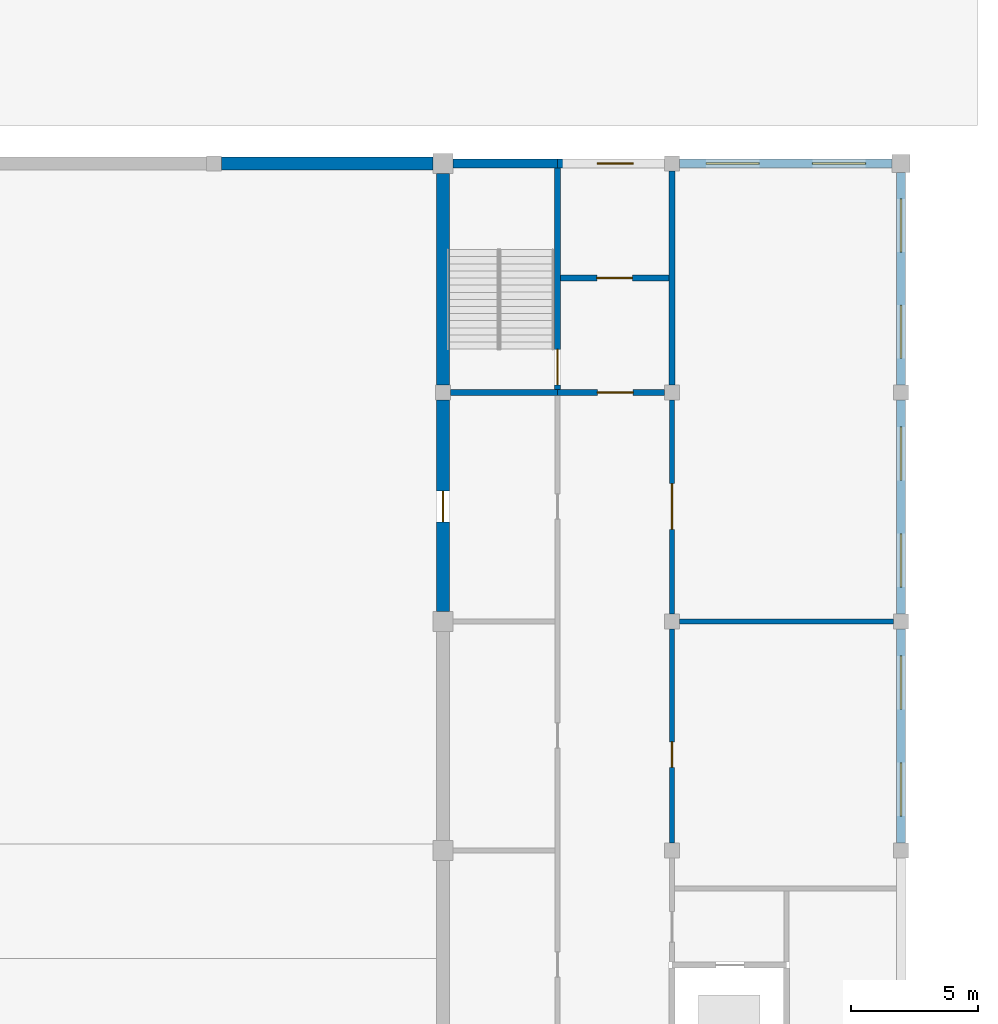
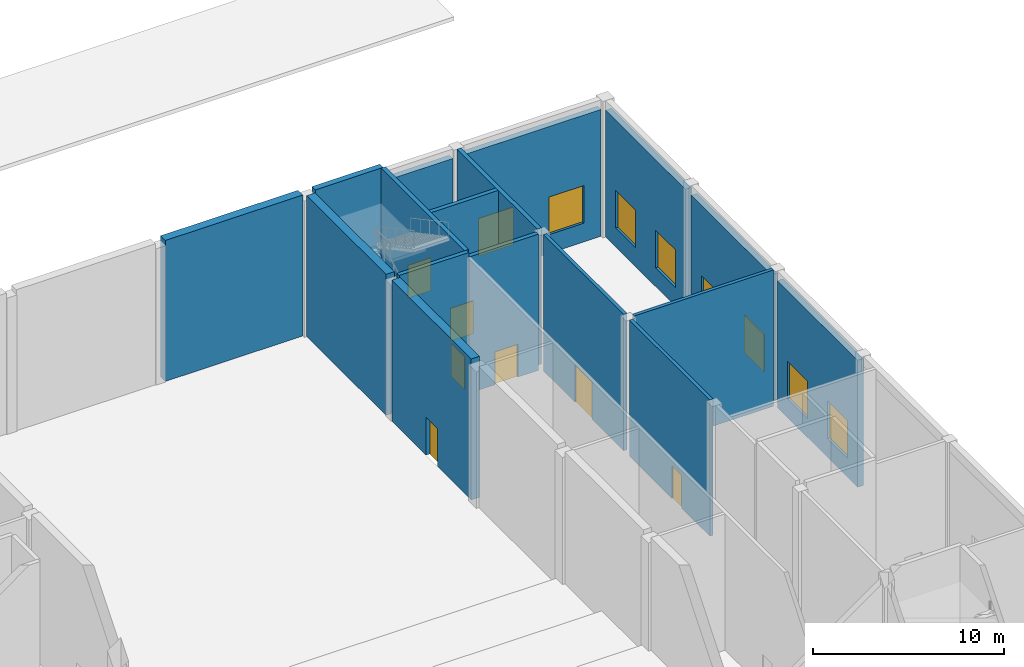
# One storey, part 34 of 44: 17 walls, 8 windows, 7 doors, 15 openings.
"""IFC4 building model written with IfcOpenShell, lengths in metres."""

from ifc_helpers import new_model, si_unit, direction, frame, frame_2d, origin, place, context, subcontext, project, spatial, rectangle, extrude, material, layer, layer_set, type_object, element, fill, save


model = new_model("IFC4")

# Units and contexts
model_context = context("Model", 3, precision=1e-05, world=origin(), true_north=direction((0.0, 1.0)))
body_context = subcontext(model_context, "Body", "Model", "MODEL_VIEW")
ifc_project = project(units=[si_unit("LENGTHUNIT", "METRE"), si_unit("AREAUNIT", "SQUARE_METRE"), si_unit("VOLUMEUNIT", "CUBIC_METRE"), si_unit("PLANEANGLEUNIT", "RADIAN"), si_unit("MASSUNIT", "GRAM", prefix="KILO")], contexts=[model_context])

# Site, building, storey
site_placement = place(None, origin())
site = spatial("IfcSite", under=ifc_project, at=site_placement, CompositionType="ELEMENT")
building_placement = place(site_placement, origin())
building = spatial("IfcBuilding", under=site, at=building_placement, Name="Firuza Court", CompositionType="ELEMENT")
storey_placement = place(building_placement, origin())
storey = spatial("IfcBuildingStorey", under=building, at=storey_placement, Name="L00", CompositionType="ELEMENT", Elevation=0.0)

# Wall
ifc_material_1 = material(Name="Blockwork", Category="masonry")
ifc_layer_1 = layer(ifc_material_1, 0.199951171875)
ifc_layer_set_1 = layer_set([ifc_layer_1], Name="Blockwork")
wall_type_1 = type_object("IfcWallType", Name="HALL PARTITION 200", PredefinedType="STANDARD", material=ifc_layer_set_1)
wall_1_placement = place(storey_placement, frame((144.300048828125, 27.0, 0.0), z_axis=(0.0, 0.0, 1.0), x_axis=(1.0, 0.0, 0.0)))
element("IfcWall", 1, at=wall_1_placement, inside=storey, type_object=wall_type_1, Name="Wall L00.36", PredefinedType="STANDARD", context=body_context, shape_type="SweptSolid", body=[
    extrude(rectangle(XDim=8.39990234375, YDim=0.199951171875, at=frame_2d((4.199951171875, 0.0))), origin(), (0.0, 0.0, 1.0), 8.699951171875),
])

# Wall, opening, door
wall_2_placement = place(storey_placement, frame((144.0, 18.300048828125, 0.0), z_axis=(0.0, 0.0, 1.0), x_axis=(0.0, 1.0, 0.0)))
wall_2 = element("IfcWall", 2, at=wall_2_placement, inside=storey, type_object=wall_type_1, Name="Wall L00.81", PredefinedType="STANDARD", context=body_context, shape_type="SweptSolid", body=[
    extrude(rectangle(XDim=8.39990234375, YDim=0.199951171875, at=frame_2d((4.199951171875, 0.0))), origin(), (0.0, 0.0, 1.0), 8.699951171875),
])
opening_1_placement = place(wall_2_placement, frame((2.969970703125, 0.0, 0.0)))
opening_1 = element("IfcOpeningElement", 3, at=opening_1_placement, cuts=wall_2, Name="Opening H054", PredefinedType="OPENING", context=body_context, shape_type="SweptSolid", body=[
    extrude(rectangle(XDim=1.0, YDim=2.10009765625, at=frame_2d((0.5, 1.050048828125))), frame((0.0, 0.11181640625, 0.0), z_axis=(0.0, -1.0, 0.0), x_axis=(1.0, 0.0, 0.0)), (0.0, 0.0, 1.0), 0.223876953125),
])
ifc_material_2 = material(Name="Timber", Category="wood")
door_type_1 = type_object("IfcDoorType", Name="HALL DOOR 1000X2100", OperationType="SINGLE_SWING_LEFT", PredefinedType="DOOR", material=ifc_material_2)
door_1_placement = place(opening_1_placement, frame((1.0, 0.0, 0.0), z_axis=(0.0, 0.0, 1.0), x_axis=(-1.0, 0.0, 0.0)))
door_1 = element("IfcDoor", 4, at=door_1_placement, inside=storey, type_object=door_type_1, Name="Door Green room", OperationType="SINGLE_SWING_RIGHT", OverallHeight=2.10009765625, OverallWidth=1.0, PredefinedType="DOOR", context=body_context, shape_type="SweptSolid", body=[
    extrude(rectangle(XDim=1.0, YDim=2.10009765625, at=frame_2d((0.5, 1.050048828125))), frame((0.0, 0.02490234375, 0.0), z_axis=(0.0, -1.0, 0.0), x_axis=(1.0, 0.0, 0.0)), (0.0, 0.0, 1.0), 0.050048828125),
])
fill(opening_1, door_1)

wall_3_placement = place(storey_placement, frame((144.0, 27.300048828125, 0.0), z_axis=(0.0, 0.0, 1.0), x_axis=(0.0, 1.0, 0.0)))
wall_3 = element("IfcWall", 5, at=wall_3_placement, inside=storey, type_object=wall_type_1, Name="Wall L00.82", PredefinedType="STANDARD", context=body_context, shape_type="SweptSolid", body=[
    extrude(rectangle(XDim=8.39990234375, YDim=0.199951171875, at=frame_2d((4.199951171875, 0.0))), origin(), (0.0, 0.0, 1.0), 8.699951171875),
])
opening_2_placement = place(wall_3_placement, frame((3.320068359375, 0.0, 0.0)))
opening_2 = element("IfcOpeningElement", 6, at=opening_2_placement, cuts=wall_3, Name="Opening H055", PredefinedType="OPENING", context=body_context, shape_type="SweptSolid", body=[
    extrude(rectangle(XDim=1.800048828125, YDim=2.39990234375, at=frame_2d((0.89990234375, 1.199951171875))), frame((0.0, 0.11181640625, 0.0), z_axis=(0.0, -1.0, 0.0), x_axis=(1.0, 0.0, 0.0)), (0.0, 0.0, 1.0), 0.223876953125),
])
ifc_material_3 = material(Name="Timber", Category="wood")
door_type_2 = type_object("IfcDoorType", Name="HALL DOOR 1800X2400", OperationType="DOUBLE_DOOR_SINGLE_SWING", PredefinedType="DOOR", material=ifc_material_3)
door_2_placement = place(opening_2_placement, origin())
door_2 = element("IfcDoor", 7, at=door_2_placement, inside=storey, type_object=door_type_2, Name="Door Orchestra rehearsal hall", OperationType="DOUBLE_DOOR_SINGLE_SWING", OverallHeight=2.39990234375, OverallWidth=1.800048828125, PredefinedType="DOOR", context=body_context, shape_type="SweptSolid", body=[
    extrude(rectangle(XDim=1.800048828125, YDim=2.39990234375, at=frame_2d((0.89990234375, 1.199951171875))), frame((0.0, 0.02490234375, 0.0), z_axis=(0.0, -1.0, 0.0), x_axis=(1.0, 0.0, 0.0)), (0.0, 0.0, 1.0), 0.050048828125),
])
fill(opening_2, door_2)

# Wall
ifc_material_4 = material(Name="Concrete C40/50", Category="concrete")
ifc_layer_2 = layer(ifc_material_4, 0.25)
ifc_layer_set_2 = layer_set([ifc_layer_2], Name="Concrete C40/50")
wall_type_2 = type_object("IfcWallType", Name="HALL RC WALL 250", PredefinedType="STANDARD", material=ifc_layer_set_2)
wall_4_placement = place(storey_placement, frame((135.300048828125, 36.0, 0.0), z_axis=(0.0, 0.0, 1.0), x_axis=(1.0, 0.0, 0.0)))
element("IfcWall", 8, at=wall_4_placement, inside=storey, type_object=wall_type_2, Name="Wall L00.37", PredefinedType="STANDARD", context=body_context, shape_type="SweptSolid", body=[
    extrude(rectangle(XDim=4.199951171875, YDim=0.25, at=frame_2d((2.10009765625, 0.0))), origin(), (0.0, 0.0, 1.0), 9.0),
])

# Wall, opening, door
wall_5_placement = place(storey_placement, frame((139.5, 36.0, 0.0), z_axis=(0.0, 0.0, 1.0), x_axis=(1.0, 0.0, 0.0)))
wall_5 = element("IfcWall", 9, at=wall_5_placement, inside=storey, type_object=wall_type_2, Name="Wall L00.38", PredefinedType="STANDARD", context=body_context, shape_type="SweptSolid", body=[
    extrude(rectangle(XDim=4.199951171875, YDim=0.25, at=frame_2d((2.10009765625, 0.0))), origin(), (0.0, 0.0, 1.0), 8.699951171875),
])
opening_3_placement = place(wall_5_placement, frame((1.570068359375, 0.0, 0.0)))
opening_3 = element("IfcOpeningElement", 10, at=opening_3_placement, cuts=wall_5, Name="Opening H023", PredefinedType="OPENING", context=body_context, shape_type="SweptSolid", body=[
    extrude(rectangle(XDim=1.39990234375, YDim=2.10009765625, at=frame_2d((0.699951171875, 1.050048828125))), frame((0.0, 0.136962890625, 0.0), z_axis=(0.0, -1.0, 0.0), x_axis=(1.0, 0.0, 0.0)), (0.0, 0.0, 1.0), 0.27392578125),
])
ifc_material_5 = material(Name="Timber", Category="wood")
door_type_3 = type_object("IfcDoorType", Name="HALL DOOR 1400X2100", OperationType="DOUBLE_DOOR_SINGLE_SWING", PredefinedType="DOOR", material=ifc_material_5)
door_3_placement = place(opening_3_placement, origin())
door_3 = element("IfcDoor", 11, at=door_3_placement, inside=storey, type_object=door_type_3, Name="Exit door stair H4 lobby", OperationType="DOUBLE_DOOR_SINGLE_SWING", OverallHeight=2.10009765625, OverallWidth=1.39990234375, PredefinedType="DOOR", context=body_context, shape_type="SweptSolid", body=[
    extrude(rectangle(XDim=1.39990234375, YDim=2.10009765625, at=frame_2d((0.699951171875, 1.050048828125))), frame((0.0, 0.02490234375, 0.0), z_axis=(0.0, -1.0, 0.0), x_axis=(1.0, 0.0, 0.0)), (0.0, 0.0, 1.0), 0.050048828125),
])
fill(opening_3, door_3)

wall_6_placement = place(storey_placement, frame((139.625, 40.5, 0.0), z_axis=(0.0, 0.0, 1.0), x_axis=(1.0, 0.0, 0.0)))
wall_6 = element("IfcWall", 12, at=wall_6_placement, inside=storey, type_object=wall_type_2, Name="Wall L00.39", PredefinedType="STANDARD", context=body_context, shape_type="SweptSolid", body=[
    extrude(rectangle(XDim=4.25, YDim=0.25, at=frame_2d((2.125, 0.0))), origin(), (0.0, 0.0, 1.0), 8.699951171875),
])
opening_4_placement = place(wall_6_placement, frame((1.419921875, 0.0, 0.0)))
opening_4 = element("IfcOpeningElement", 13, at=opening_4_placement, cuts=wall_6, Name="Opening H024", PredefinedType="OPENING", context=body_context, shape_type="SweptSolid", body=[
    extrude(rectangle(XDim=1.39990234375, YDim=2.10009765625, at=frame_2d((0.699951171875, 1.050048828125))), frame((0.0, 0.136962890625, 0.0), z_axis=(0.0, -1.0, 0.0), x_axis=(1.0, 0.0, 0.0)), (0.0, 0.0, 1.0), 0.27392578125),
])
door_4_placement = place(opening_4_placement, origin())
door_4 = element("IfcDoor", 14, at=door_4_placement, inside=storey, type_object=door_type_3, Name="Exit door stair H4 passage", OperationType="DOUBLE_DOOR_SINGLE_SWING", OverallHeight=2.10009765625, OverallWidth=1.39990234375, PredefinedType="DOOR", context=body_context, shape_type="SweptSolid", body=[
    extrude(rectangle(XDim=1.39990234375, YDim=2.10009765625, at=frame_2d((0.699951171875, 1.050048828125))), frame((0.0, 0.02490234375, 0.0), z_axis=(0.0, -1.0, 0.0), x_axis=(1.0, 0.0, 0.0)), (0.0, 0.0, 1.0), 0.050048828125),
])
fill(opening_4, door_4)

wall_7_placement = place(storey_placement, frame((139.5, 36.125, 0.0), z_axis=(0.0, 0.0, 1.0), x_axis=(0.0, 1.0, 0.0)))
wall_7 = element("IfcWall", 15, at=wall_7_placement, inside=storey, type_object=wall_type_2, Name="Wall L00.76", PredefinedType="STANDARD", context=body_context, shape_type="SweptSolid", body=[
    extrude(rectangle(XDim=8.699951171875, YDim=0.25, at=frame_2d((4.35009765625, 0.0))), origin(), (0.0, 0.0, 1.0), 9.0),
])
opening_5_placement = place(wall_7_placement, frame((0.169921875, 0.0, 0.0)))
opening_5 = element("IfcOpeningElement", 16, at=opening_5_placement, cuts=wall_7, Name="Opening H022", PredefinedType="OPENING", context=body_context, shape_type="SweptSolid", body=[
    extrude(rectangle(XDim=1.39990234375, YDim=2.10009765625, at=frame_2d((0.699951171875, 1.050048828125))), frame((0.0, 0.136962890625, 0.0), z_axis=(0.0, -1.0, 0.0), x_axis=(1.0, 0.0, 0.0)), (0.0, 0.0, 1.0), 0.27392578125),
])
door_5_placement = place(opening_5_placement, origin())
door_5 = element("IfcDoor", 17, at=door_5_placement, inside=storey, type_object=door_type_3, Name="Stair H4 door", OperationType="DOUBLE_DOOR_SINGLE_SWING", OverallHeight=2.10009765625, OverallWidth=1.39990234375, PredefinedType="DOOR", context=body_context, shape_type="SweptSolid", body=[
    extrude(rectangle(XDim=1.39990234375, YDim=2.10009765625, at=frame_2d((0.699951171875, 1.050048828125))), frame((0.0, 0.02490234375, 0.0), z_axis=(0.0, -1.0, 0.0), x_axis=(1.0, 0.0, 0.0)), (0.0, 0.0, 1.0), 0.050048828125),
])
fill(opening_5, door_5)

# Wall
wall_8_placement = place(storey_placement, frame((144.0, 36.300048828125, 0.0), z_axis=(0.0, 0.0, 1.0), x_axis=(0.0, 1.0, 0.0)))
element("IfcWall", 18, at=wall_8_placement, inside=storey, type_object=wall_type_2, Name="Wall L00.83", PredefinedType="STANDARD", context=body_context, shape_type="SweptSolid", body=[
    extrude(rectangle(XDim=8.39990234375, YDim=0.25, at=frame_2d((4.199951171875, 0.0))), origin(), (0.0, 0.0, 1.0), 8.699951171875),
])

# Wall, opening, door
ifc_layer_3 = layer(ifc_material_4, 0.5)
ifc_layer_set_3 = layer_set([ifc_layer_3], Name="Concrete C40/50")
wall_type_3 = type_object("IfcWallType", Name="HALL RC WALL 500", PredefinedType="STANDARD", material=ifc_layer_set_3)
wall_9_placement = place(storey_placement, frame((135.0, 27.39990234375, 0.0), z_axis=(0.0, 0.0, 1.0), x_axis=(0.0, 1.0, 0.0)))
wall_9 = element("IfcWall", 19, at=wall_9_placement, inside=storey, type_object=wall_type_3, Name="Wall L00.72", PredefinedType="STANDARD", context=body_context, shape_type="SweptSolid", body=[
    extrude(rectangle(XDim=8.300048828125, YDim=0.5, at=frame_2d((4.14990234375, 0.0))), origin(), (0.0, 0.0, 1.0), 9.0),
])
opening_6_placement = place(wall_9_placement, frame((3.52001953125, 0.0, 0.0)))
opening_6 = element("IfcOpeningElement", 20, at=opening_6_placement, cuts=wall_9, Name="Opening H020", PredefinedType="OPENING", context=body_context, shape_type="SweptSolid", body=[
    extrude(rectangle(XDim=1.199951171875, YDim=2.39990234375, at=frame_2d((0.60009765625, 1.199951171875))), frame((0.0, 0.261962890625, 0.0), z_axis=(0.0, -1.0, 0.0), x_axis=(1.0, 0.0, 0.0)), (0.0, 0.0, 1.0), 0.52392578125),
])
ifc_material_6 = material(Name="Timber", Category="wood")
door_type_4 = type_object("IfcDoorType", Name="HALL DOOR 1200X2400", OperationType="SINGLE_SWING_RIGHT", PredefinedType="DOOR", material=ifc_material_6)
door_6_placement = place(opening_6_placement, frame((1.199951171875, 0.0, 0.0), z_axis=(0.0, 0.0, 1.0), x_axis=(-1.0, 0.0, 0.0)))
door_6 = element("IfcDoor", 21, at=door_6_placement, inside=storey, type_object=door_type_4, Name="Door Stage to Stage right wing", OperationType="SINGLE_SWING_RIGHT", OverallHeight=2.39990234375, OverallWidth=1.199951171875, PredefinedType="DOOR", context=body_context, shape_type="SweptSolid", body=[
    extrude(rectangle(XDim=1.199951171875, YDim=2.39990234375, at=frame_2d((0.60009765625, 1.199951171875))), frame((0.0, 0.02490234375, 0.0), z_axis=(0.0, -1.0, 0.0), x_axis=(1.0, 0.0, 0.0)), (0.0, 0.0, 1.0), 0.050048828125),
])
fill(opening_6, door_6)

# Walls
wall_10_placement = place(storey_placement, frame((135.0, 36.300048828125, 0.0), z_axis=(0.0, 0.0, 1.0), x_axis=(0.0, 1.0, 0.0)))
element("IfcWall", 22, at=wall_10_placement, inside=storey, type_object=wall_type_3, Name="Wall L00.73", PredefinedType="STANDARD", context=body_context, shape_type="SweptSolid", body=[
    extrude(rectangle(XDim=8.300048828125, YDim=0.5, at=frame_2d((4.14990234375, 0.0))), origin(), (0.0, 0.0, 1.0), 9.0),
])
ifc_material_7 = material(Name="Concrete C30/37", Category="concrete")
ifc_layer_4 = layer(ifc_material_7, 0.300048828125)
ifc_material_8 = material(Name="Ceramic tile", Category="ceramic")
ifc_layer_5 = layer(ifc_material_8, 0.050048828125)
ifc_layer_set_4 = layer_set([ifc_layer_4, ifc_layer_5], Name="Concrete C30/37")
wall_type_4 = type_object("IfcWallType", Name="HALL TILE CLAD WALL 350", PredefinedType="STANDARD", material=ifc_layer_set_4)
wall_11_placement = place(storey_placement, frame((126.300048828125, 45.0, 0.0), z_axis=(0.0, 0.0, 1.0), x_axis=(1.0, 0.0, 0.0)))
element("IfcWall", 23, at=wall_11_placement, inside=storey, type_object=wall_type_4, Name="Wall L00.42", PredefinedType="STANDARD", context=body_context, shape_type="SweptSolid", body=[
    extrude(rectangle(XDim=8.300048828125, YDim=0.5, at=frame_2d((4.14990234375, 0.0))), origin(), (0.0, 0.0, 1.0), 9.0),
])
wall_12_placement = place(storey_placement, frame((135.39990234375, 45.0, 0.0), z_axis=(0.0, 0.0, 1.0), x_axis=(1.0, 0.0, 0.0)))
element("IfcWall", 24, at=wall_12_placement, inside=storey, type_object=wall_type_4, Name="Wall L00.43", PredefinedType="STANDARD", context=body_context, shape_type="SweptSolid", body=[
    extrude(rectangle(XDim=4.10009765625, YDim=0.35009765625, at=frame_2d((2.050048828125, 0.0))), origin(), (0.0, 0.0, 1.0), 9.0),
])

# Wall, opening, door
wall_13_placement = place(storey_placement, frame((139.5, 45.0, 0.0), z_axis=(0.0, 0.0, 1.0), x_axis=(1.0, 0.0, 0.0)))
wall_13 = element("IfcWall", 25, at=wall_13_placement, inside=storey, type_object=wall_type_4, Name="Wall L00.44", PredefinedType="STANDARD", context=body_context, shape_type="SweptSolid", body=[
    extrude(rectangle(XDim=4.199951171875, YDim=0.35009765625, at=frame_2d((2.10009765625, 0.0))), origin(), (0.0, 0.0, 1.0), 8.10009765625),
])
opening_7_placement = place(wall_13_placement, frame((1.570068359375, 0.0, 0.0)))
opening_7 = element("IfcOpeningElement", 26, at=opening_7_placement, cuts=wall_13, Name="Opening H025", PredefinedType="OPENING", context=body_context, shape_type="SweptSolid", body=[
    extrude(rectangle(XDim=1.39990234375, YDim=2.10009765625, at=frame_2d((0.699951171875, 1.050048828125))), frame((0.0, 0.18701171875, 0.0), z_axis=(0.0, -1.0, 0.0), x_axis=(1.0, 0.0, 0.0)), (0.0, 0.0, 1.0), 0.3740234375),
])
door_7_placement = place(opening_7_placement, origin())
door_7 = element("IfcDoor", 27, at=door_7_placement, inside=storey, type_object=door_type_3, Name="Exit door stair H4", OperationType="DOUBLE_DOOR_SINGLE_SWING", OverallHeight=2.10009765625, OverallWidth=1.39990234375, PredefinedType="DOOR", context=body_context, shape_type="SweptSolid", body=[
    extrude(rectangle(XDim=1.39990234375, YDim=2.10009765625, at=frame_2d((0.699951171875, 1.050048828125))), frame((0.0, 0.02490234375, 0.0), z_axis=(0.0, -1.0, 0.0), x_axis=(1.0, 0.0, 0.0)), (0.0, 0.0, 1.0), 0.050048828125),
])
fill(opening_7, door_7)

# Wall, openings, windows
wall_14_placement = place(storey_placement, frame((144.300048828125, 45.0, 0.0), z_axis=(0.0, 0.0, 1.0), x_axis=(1.0, 0.0, 0.0)))
wall_14 = element("IfcWall", 28, at=wall_14_placement, inside=storey, type_object=wall_type_4, Name="Wall L00.45", PredefinedType="STANDARD", context=body_context, shape_type="SweptSolid", body=[
    extrude(rectangle(XDim=8.349853515625, YDim=0.35009765625, at=frame_2d((4.1748046875, 0.0))), origin(), (0.0, 0.0, 1.0), 8.10009765625),
])
opening_8_placement = place(wall_14_placement, frame((1.03759765625, 0.0, 1.199951171875)))
opening_8 = element("IfcOpeningElement", 29, at=opening_8_placement, cuts=wall_14, Name="Opening HW-3", PredefinedType="OPENING", context=body_context, shape_type="SweptSolid", body=[
    extrude(rectangle(XDim=2.10009765625, YDim=2.39990234375, at=frame_2d((1.050048828125, 1.199951171875))), frame((0.0, 0.18701171875, 0.0), z_axis=(0.0, -1.0, 0.0), x_axis=(1.0, 0.0, 0.0)), (0.0, 0.0, 1.0), 0.3740234375),
])
opening_9_placement = place(wall_14_placement, frame((5.21240234375, 0.0, 1.199951171875)))
opening_9 = element("IfcOpeningElement", 30, at=opening_9_placement, cuts=wall_14, Name="Opening HW-3", PredefinedType="OPENING", context=body_context, shape_type="SweptSolid", body=[
    extrude(rectangle(XDim=2.10009765625, YDim=2.39990234375, at=frame_2d((1.050048828125, 1.199951171875))), frame((0.0, 0.18701171875, 0.0), z_axis=(0.0, -1.0, 0.0), x_axis=(1.0, 0.0, 0.0)), (0.0, 0.0, 1.0), 0.3740234375),
])
ifc_material_9 = material(Name="Aluminium", Category="aluminium")
window_type = type_object("IfcWindowType", Name="HALL WINDOW 2100X2400", PartitioningType="SINGLE_PANEL", PredefinedType="WINDOW", material=ifc_material_9)
window_1_placement = place(opening_8_placement, origin())
window_1 = element("IfcWindow", 31, at=window_1_placement, inside=storey, type_object=window_type, Name="Window L00.9", OverallHeight=2.39990234375, OverallWidth=2.10009765625, PartitioningType="SINGLE_PANEL", PredefinedType="WINDOW", context=body_context, shape_type="SweptSolid", body=[
    extrude(rectangle(XDim=2.10009765625, YDim=2.39990234375, at=frame_2d((1.050048828125, 1.199951171875))), frame((0.0, 0.030029296875, 0.0), z_axis=(0.0, -1.0, 0.0), x_axis=(1.0, 0.0, 0.0)), (0.0, 0.0, 1.0), 0.06005859375),
])
fill(opening_8, window_1)
window_2_placement = place(opening_9_placement, origin())
window_2 = element("IfcWindow", 32, at=window_2_placement, inside=storey, type_object=window_type, Name="Window L00.10", OverallHeight=2.39990234375, OverallWidth=2.10009765625, PartitioningType="SINGLE_PANEL", PredefinedType="WINDOW", context=body_context, shape_type="SweptSolid", body=[
    extrude(rectangle(XDim=2.10009765625, YDim=2.39990234375, at=frame_2d((1.050048828125, 1.199951171875))), frame((0.0, 0.030029296875, 0.0), z_axis=(0.0, -1.0, 0.0), x_axis=(1.0, 0.0, 0.0)), (0.0, 0.0, 1.0), 0.06005859375),
])
fill(opening_9, window_2)

wall_15_placement = place(storey_placement, frame((153.0, 18.300048828125, 0.0), z_axis=(0.0, 0.0, 1.0), x_axis=(0.0, 1.0, 0.0)))
wall_15 = element("IfcWall", 33, at=wall_15_placement, inside=storey, type_object=wall_type_4, Name="Wall L00.90", PredefinedType="STANDARD", context=body_context, shape_type="SweptSolid", body=[
    extrude(rectangle(XDim=8.39990234375, YDim=0.35009765625, at=frame_2d((4.199951171875, 0.0))), origin(), (0.0, 0.0, 1.0), 8.10009765625),
])
opening_10_placement = place(wall_15_placement, frame((1.050048828125, 0.0, 1.199951171875)))
opening_10 = element("IfcOpeningElement", 34, at=opening_10_placement, cuts=wall_15, Name="Opening HW-3", PredefinedType="OPENING", context=body_context, shape_type="SweptSolid", body=[
    extrude(rectangle(XDim=2.10009765625, YDim=2.39990234375, at=frame_2d((1.050048828125, 1.199951171875))), frame((0.0, 0.18701171875, 0.0), z_axis=(0.0, -1.0, 0.0), x_axis=(1.0, 0.0, 0.0)), (0.0, 0.0, 1.0), 0.3740234375),
])
opening_11_placement = place(wall_15_placement, frame((5.25, 0.0, 1.199951171875)))
opening_11 = element("IfcOpeningElement", 35, at=opening_11_placement, cuts=wall_15, Name="Opening HW-3", PredefinedType="OPENING", context=body_context, shape_type="SweptSolid", body=[
    extrude(rectangle(XDim=2.10009765625, YDim=2.39990234375, at=frame_2d((1.050048828125, 1.199951171875))), frame((0.0, 0.18701171875, 0.0), z_axis=(0.0, -1.0, 0.0), x_axis=(1.0, 0.0, 0.0)), (0.0, 0.0, 1.0), 0.3740234375),
])
window_3_placement = place(opening_10_placement, origin())
window_3 = element("IfcWindow", 36, at=window_3_placement, inside=storey, type_object=window_type, Name="Window L00.12", OverallHeight=2.39990234375, OverallWidth=2.10009765625, PartitioningType="SINGLE_PANEL", PredefinedType="WINDOW", context=body_context, shape_type="SweptSolid", body=[
    extrude(rectangle(XDim=2.10009765625, YDim=2.39990234375, at=frame_2d((1.050048828125, 1.199951171875))), frame((0.0, 0.030029296875, 0.0), z_axis=(0.0, -1.0, 0.0), x_axis=(1.0, 0.0, 0.0)), (0.0, 0.0, 1.0), 0.06005859375),
])
fill(opening_10, window_3)
window_4_placement = place(opening_11_placement, origin())
window_4 = element("IfcWindow", 37, at=window_4_placement, inside=storey, type_object=window_type, Name="Window L00.13", OverallHeight=2.39990234375, OverallWidth=2.10009765625, PartitioningType="SINGLE_PANEL", PredefinedType="WINDOW", context=body_context, shape_type="SweptSolid", body=[
    extrude(rectangle(XDim=2.10009765625, YDim=2.39990234375, at=frame_2d((1.050048828125, 1.199951171875))), frame((0.0, 0.030029296875, 0.0), z_axis=(0.0, -1.0, 0.0), x_axis=(1.0, 0.0, 0.0)), (0.0, 0.0, 1.0), 0.06005859375),
])
fill(opening_11, window_4)

wall_16_placement = place(storey_placement, frame((153.0, 27.300048828125, 0.0), z_axis=(0.0, 0.0, 1.0), x_axis=(0.0, 1.0, 0.0)))
wall_16 = element("IfcWall", 38, at=wall_16_placement, inside=storey, type_object=wall_type_4, Name="Wall L00.91", PredefinedType="STANDARD", context=body_context, shape_type="SweptSolid", body=[
    extrude(rectangle(XDim=8.39990234375, YDim=0.35009765625, at=frame_2d((4.199951171875, 0.0))), origin(), (0.0, 0.0, 1.0), 8.10009765625),
])
opening_12_placement = place(wall_16_placement, frame((1.050048828125, 0.0, 1.199951171875)))
opening_12 = element("IfcOpeningElement", 39, at=opening_12_placement, cuts=wall_16, Name="Opening HW-3", PredefinedType="OPENING", context=body_context, shape_type="SweptSolid", body=[
    extrude(rectangle(XDim=2.10009765625, YDim=2.39990234375, at=frame_2d((1.050048828125, 1.199951171875))), frame((0.0, 0.18701171875, 0.0), z_axis=(0.0, -1.0, 0.0), x_axis=(1.0, 0.0, 0.0)), (0.0, 0.0, 1.0), 0.3740234375),
])
opening_13_placement = place(wall_16_placement, frame((5.25, 0.0, 1.199951171875)))
opening_13 = element("IfcOpeningElement", 40, at=opening_13_placement, cuts=wall_16, Name="Opening HW-3", PredefinedType="OPENING", context=body_context, shape_type="SweptSolid", body=[
    extrude(rectangle(XDim=2.10009765625, YDim=2.39990234375, at=frame_2d((1.050048828125, 1.199951171875))), frame((0.0, 0.18701171875, 0.0), z_axis=(0.0, -1.0, 0.0), x_axis=(1.0, 0.0, 0.0)), (0.0, 0.0, 1.0), 0.3740234375),
])
window_5_placement = place(opening_12_placement, origin())
window_5 = element("IfcWindow", 41, at=window_5_placement, inside=storey, type_object=window_type, Name="Window L00.14", OverallHeight=2.39990234375, OverallWidth=2.10009765625, PartitioningType="SINGLE_PANEL", PredefinedType="WINDOW", context=body_context, shape_type="SweptSolid", body=[
    extrude(rectangle(XDim=2.10009765625, YDim=2.39990234375, at=frame_2d((1.050048828125, 1.199951171875))), frame((0.0, 0.030029296875, 0.0), z_axis=(0.0, -1.0, 0.0), x_axis=(1.0, 0.0, 0.0)), (0.0, 0.0, 1.0), 0.06005859375),
])
fill(opening_12, window_5)
window_6_placement = place(opening_13_placement, origin())
window_6 = element("IfcWindow", 42, at=window_6_placement, inside=storey, type_object=window_type, Name="Window L00.15", OverallHeight=2.39990234375, OverallWidth=2.10009765625, PartitioningType="SINGLE_PANEL", PredefinedType="WINDOW", context=body_context, shape_type="SweptSolid", body=[
    extrude(rectangle(XDim=2.10009765625, YDim=2.39990234375, at=frame_2d((1.050048828125, 1.199951171875))), frame((0.0, 0.030029296875, 0.0), z_axis=(0.0, -1.0, 0.0), x_axis=(1.0, 0.0, 0.0)), (0.0, 0.0, 1.0), 0.06005859375),
])
fill(opening_13, window_6)

wall_17_placement = place(storey_placement, frame((153.0, 36.300048828125, 0.0), z_axis=(0.0, 0.0, 1.0), x_axis=(0.0, 1.0, 0.0)))
wall_17 = element("IfcWall", 43, at=wall_17_placement, inside=storey, type_object=wall_type_4, Name="Wall L00.92", PredefinedType="STANDARD", context=body_context, shape_type="SweptSolid", body=[
    extrude(rectangle(XDim=8.349853515625, YDim=0.35009765625, at=frame_2d((4.1748046875, 0.0))), origin(), (0.0, 0.0, 1.0), 8.10009765625),
])
opening_14_placement = place(wall_17_placement, frame((1.03759765625, 0.0, 1.199951171875)))
opening_14 = element("IfcOpeningElement", 44, at=opening_14_placement, cuts=wall_17, Name="Opening HW-3", PredefinedType="OPENING", context=body_context, shape_type="SweptSolid", body=[
    extrude(rectangle(XDim=2.10009765625, YDim=2.39990234375, at=frame_2d((1.050048828125, 1.199951171875))), frame((0.0, 0.18701171875, 0.0), z_axis=(0.0, -1.0, 0.0), x_axis=(1.0, 0.0, 0.0)), (0.0, 0.0, 1.0), 0.3740234375),
])
opening_15_placement = place(wall_17_placement, frame((5.21240234375, 0.0, 1.199951171875)))
opening_15 = element("IfcOpeningElement", 45, at=opening_15_placement, cuts=wall_17, Name="Opening HW-3", PredefinedType="OPENING", context=body_context, shape_type="SweptSolid", body=[
    extrude(rectangle(XDim=2.10009765625, YDim=2.39990234375, at=frame_2d((1.050048828125, 1.199951171875))), frame((0.0, 0.18701171875, 0.0), z_axis=(0.0, -1.0, 0.0), x_axis=(1.0, 0.0, 0.0)), (0.0, 0.0, 1.0), 0.3740234375),
])
window_7_placement = place(opening_14_placement, origin())
window_7 = element("IfcWindow", 46, at=window_7_placement, inside=storey, type_object=window_type, Name="Window L00.16", OverallHeight=2.39990234375, OverallWidth=2.10009765625, PartitioningType="SINGLE_PANEL", PredefinedType="WINDOW", context=body_context, shape_type="SweptSolid", body=[
    extrude(rectangle(XDim=2.10009765625, YDim=2.39990234375, at=frame_2d((1.050048828125, 1.199951171875))), frame((0.0, 0.030029296875, 0.0), z_axis=(0.0, -1.0, 0.0), x_axis=(1.0, 0.0, 0.0)), (0.0, 0.0, 1.0), 0.06005859375),
])
fill(opening_14, window_7)
window_8_placement = place(opening_15_placement, origin())
window_8 = element("IfcWindow", 47, at=window_8_placement, inside=storey, type_object=window_type, Name="Window L00.17", OverallHeight=2.39990234375, OverallWidth=2.10009765625, PartitioningType="SINGLE_PANEL", PredefinedType="WINDOW", context=body_context, shape_type="SweptSolid", body=[
    extrude(rectangle(XDim=2.10009765625, YDim=2.39990234375, at=frame_2d((1.050048828125, 1.199951171875))), frame((0.0, 0.030029296875, 0.0), z_axis=(0.0, -1.0, 0.0), x_axis=(1.0, 0.0, 0.0)), (0.0, 0.0, 1.0), 0.06005859375),
])
fill(opening_15, window_8)

save(model, "model.ifc")
